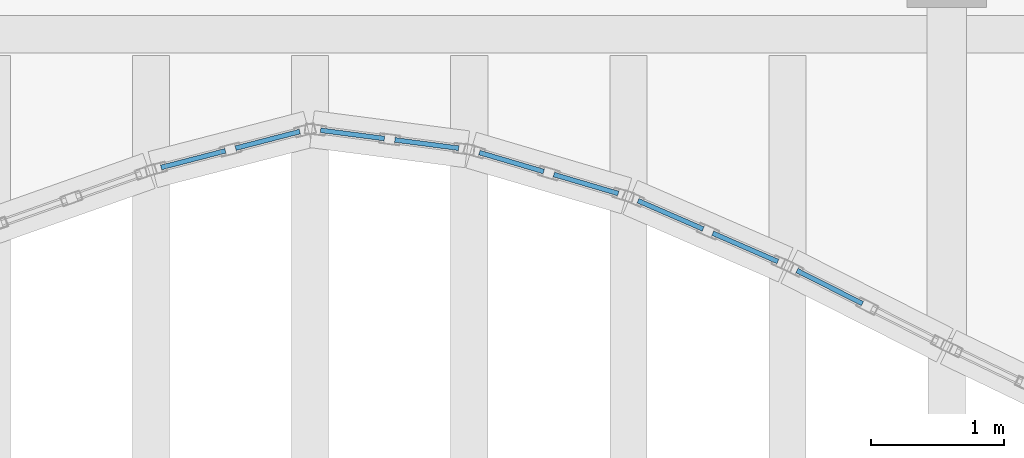
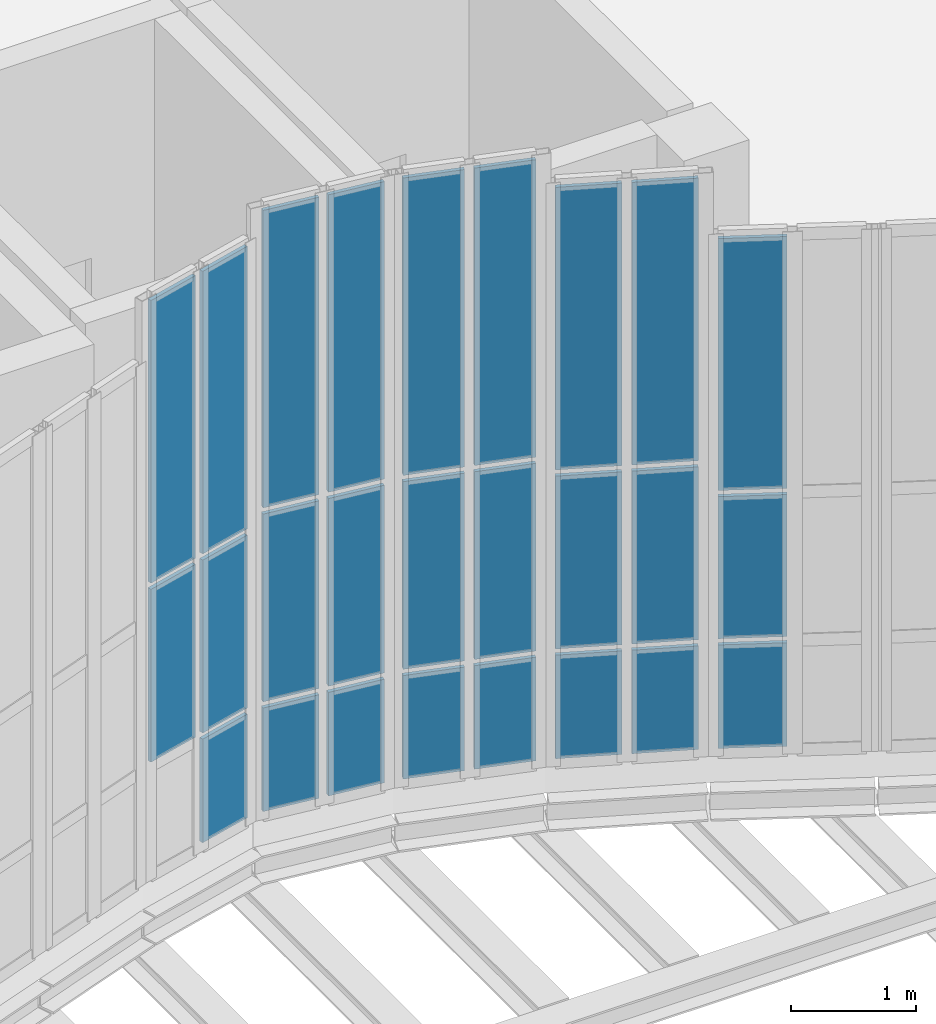
# One storey, part 52 of 76: 26 plates, 5 elements without a shape of their own.
"""IFC4 building model written with IfcOpenShell, lengths in metres."""

from ifc_helpers import new_model, si_unit, direction, frame, origin, origin_2d, place, context, subcontext, project, spatial, rectangle, extrude, material, layer, layer_set, type_object, element, aggregate, save


model = new_model("IFC4")

# Units and contexts
model_context = context("Model", 3, precision=1e-05, world=origin(), true_north=direction((0.0, 1.0)))
body_context = subcontext(model_context, "Body", "Model", "MODEL_VIEW")
ifc_project = project(units=[si_unit("LENGTHUNIT", "METRE"), si_unit("AREAUNIT", "SQUARE_METRE"), si_unit("VOLUMEUNIT", "CUBIC_METRE"), si_unit("PLANEANGLEUNIT", "RADIAN"), si_unit("MASSUNIT", "GRAM", prefix="KILO"), si_unit("THERMODYNAMICTEMPERATUREUNIT", "KELVIN"), si_unit("POWERUNIT", "WATT")], contexts=[model_context])

# Site, building, storey
site_placement = place(None, origin())
site = spatial("IfcSite", under=ifc_project, at=site_placement, CompositionType="ELEMENT")
building_placement = place(site_placement, origin())
building = spatial("IfcBuilding", under=site, at=building_placement, Name="Kaldorven Railside Theatre", CompositionType="ELEMENT")
storey_placement = place(building_placement, frame((0.0, 0.0, 14.39990234375)))
storey = spatial("IfcBuildingStorey", under=building, at=storey_placement, Name="L03", CompositionType="ELEMENT", Elevation=14.39990234375)

# Curtain wall, plates
ifc_material = material(Name="Low-E laminated solar-control glass", Category="glass")
ifc_layer_1 = layer(ifc_material, 0.159912109375, Name="Low-E laminated solar-control glass")
ifc_layer_set_1 = layer_set([ifc_layer_1], Name="Low-E laminated solar-control glass")
curtain_wall_type_1 = type_object("IfcCurtainWallType", Name="CWT-09", PredefinedType="USERDEFINED", material=ifc_layer_set_1)
curtain_wall_1_placement = place(storey_placement, origin())
curtain_wall_1 = element("IfcCurtainWall", 1, at=curtain_wall_1_placement, inside=storey, type_object=curtain_wall_type_1, Name="Sinusoidal Fluted Curtain Wall CW-L03-S26", ObjectType="FLUTED GLAZING", PredefinedType="USERDEFINED")
ifc_layer_2 = layer(ifc_material, 0.035888671875, Name="Low-E laminated solar-control glass")
ifc_layer_set_2 = layer_set([ifc_layer_2], Name="Low-E laminated solar-control glass")
plate_type = type_object("IfcPlateType", Name="CWP-CREST36", PredefinedType="CURTAIN_PANEL", material=ifc_layer_set_2)
plate_1_placement = place(storey_placement, frame((67.119384765625, 17.7578125, 1.130126953125), z_axis=(0.0, 0.0, 1.0), x_axis=(0.967999075505, 0.250953760326, 0.0)))
plate_1 = element("IfcPlate", 2, at=plate_1_placement, type_object=plate_type, Name="CW-L03-S26 panel 1.2", PredefinedType="CURTAIN_PANEL", context=body_context, shape_type="SweptSolid", body=[
    extrude(rectangle(XDim=0.499755859375, YDim=0.035888671875, at=origin_2d()), origin(), (0.0, 0.0, 1.0), 1.68505859375),
])
plate_2_placement = place(storey_placement, frame((67.119384765625, 17.7578125, 2.875244140625), z_axis=(0.0, 0.0, 1.0), x_axis=(0.967999075505, 0.250953760326, 0.0)))
plate_2 = element("IfcPlate", 3, at=plate_2_placement, type_object=plate_type, Name="CW-L03-S26 panel 1.3", PredefinedType="CURTAIN_PANEL", context=body_context, shape_type="SweptSolid", body=[
    extrude(rectangle(XDim=0.499755859375, YDim=0.035888671875, at=origin_2d()), origin(), (0.0, 0.0, 1.0), 2.7548828125),
])
plate_3_placement = place(storey_placement, frame((67.6806640625, 17.9033203125, 0.06005859375), z_axis=(0.0, 0.0, 1.0), x_axis=(0.967999075505, 0.250953760326, 0.0)))
plate_3 = element("IfcPlate", 4, at=plate_3_placement, type_object=plate_type, Name="CW-L03-S26 panel 2.1", PredefinedType="CURTAIN_PANEL", context=body_context, shape_type="SweptSolid", body=[
    extrude(rectangle(XDim=0.499755859375, YDim=0.035888671875, at=origin_2d()), origin(), (0.0, 0.0, 1.0), 1.010009765625),
])
plate_4_placement = place(storey_placement, frame((67.6806640625, 17.9033203125, 1.130126953125), z_axis=(0.0, 0.0, 1.0), x_axis=(0.967999075505, 0.250953760326, 0.0)))
plate_4 = element("IfcPlate", 5, at=plate_4_placement, type_object=plate_type, Name="CW-L03-S26 panel 2.2", PredefinedType="CURTAIN_PANEL", context=body_context, shape_type="SweptSolid", body=[
    extrude(rectangle(XDim=0.499755859375, YDim=0.035888671875, at=origin_2d()), origin(), (0.0, 0.0, 1.0), 1.68505859375),
])
plate_5_placement = place(storey_placement, frame((67.6806640625, 17.9033203125, 2.875244140625), z_axis=(0.0, 0.0, 1.0), x_axis=(0.967999075505, 0.250953760326, 0.0)))
plate_5 = element("IfcPlate", 6, at=plate_5_placement, type_object=plate_type, Name="CW-L03-S26 panel 2.3", PredefinedType="CURTAIN_PANEL", context=body_context, shape_type="SweptSolid", body=[
    extrude(rectangle(XDim=0.499755859375, YDim=0.035888671875, at=origin_2d()), origin(), (0.0, 0.0, 1.0), 2.7548828125),
])
aggregate(curtain_wall_1, [plate_1, plate_2, plate_3, plate_4, plate_5])

ifc_layer_3 = layer(ifc_material, 0.159912109375, Name="Low-E laminated solar-control glass")
ifc_layer_set_3 = layer_set([ifc_layer_3], Name="Low-E laminated solar-control glass")
curtain_wall_type_2 = type_object("IfcCurtainWallType", Name="CWT-10", PredefinedType="USERDEFINED", material=ifc_layer_set_3)
curtain_wall_2_placement = place(storey_placement, origin())
curtain_wall_2 = element("IfcCurtainWall", 7, at=curtain_wall_2_placement, inside=storey, type_object=curtain_wall_type_2, Name="Sinusoidal Fluted Curtain Wall CW-L03-S27", ObjectType="FLUTED GLAZING", PredefinedType="USERDEFINED")
plate_6_placement = place(storey_placement, frame((68.31982421875, 17.944580078125, 0.06005859375), z_axis=(0.0, 0.0, 1.0), x_axis=(0.991676733269, -0.12875269587, 0.0)))
plate_6 = element("IfcPlate", 8, at=plate_6_placement, type_object=plate_type, Name="CW-L03-S27 panel 1.1", PredefinedType="CURTAIN_PANEL", context=body_context, shape_type="SweptSolid", body=[
    extrude(rectangle(XDim=0.485107421875, YDim=0.035888671875, at=origin_2d()), origin(), (0.0, 0.0, 1.0), 1.010009765625),
])
plate_7_placement = place(storey_placement, frame((68.31982421875, 17.944580078125, 1.130126953125), z_axis=(0.0, 0.0, 1.0), x_axis=(0.991676733269, -0.12875269587, 0.0)))
plate_7 = element("IfcPlate", 9, at=plate_7_placement, type_object=plate_type, Name="CW-L03-S27 panel 1.2", PredefinedType="CURTAIN_PANEL", context=body_context, shape_type="SweptSolid", body=[
    extrude(rectangle(XDim=0.485107421875, YDim=0.035888671875, at=origin_2d()), origin(), (0.0, 0.0, 1.0), 1.830078125),
])
plate_8_placement = place(storey_placement, frame((68.31982421875, 17.944580078125, 3.020263671875), z_axis=(0.0, 0.0, 1.0), x_axis=(0.991676733269, -0.12875269587, 0.0)))
plate_8 = element("IfcPlate", 10, at=plate_8_placement, type_object=plate_type, Name="CW-L03-S27 panel 1.3", PredefinedType="CURTAIN_PANEL", context=body_context, shape_type="SweptSolid", body=[
    extrude(rectangle(XDim=0.485107421875, YDim=0.035888671875, at=origin_2d()), origin(), (0.0, 0.0, 1.0), 2.89990234375),
])
plate_9_placement = place(storey_placement, frame((68.880126953125, 17.871826171875, 0.06005859375), z_axis=(0.0, 0.0, 1.0), x_axis=(0.991676733269, -0.12875269587, 0.0)))
plate_9 = element("IfcPlate", 11, at=plate_9_placement, type_object=plate_type, Name="CW-L03-S27 panel 2.1", PredefinedType="CURTAIN_PANEL", context=body_context, shape_type="SweptSolid", body=[
    extrude(rectangle(XDim=0.485107421875, YDim=0.035888671875, at=origin_2d()), origin(), (0.0, 0.0, 1.0), 1.010009765625),
])
plate_10_placement = place(storey_placement, frame((68.880126953125, 17.871826171875, 1.130126953125), z_axis=(0.0, 0.0, 1.0), x_axis=(0.991676733269, -0.12875269587, 0.0)))
plate_10 = element("IfcPlate", 12, at=plate_10_placement, type_object=plate_type, Name="CW-L03-S27 panel 2.2", PredefinedType="CURTAIN_PANEL", context=body_context, shape_type="SweptSolid", body=[
    extrude(rectangle(XDim=0.485107421875, YDim=0.035888671875, at=origin_2d()), origin(), (0.0, 0.0, 1.0), 1.830078125),
])
plate_11_placement = place(storey_placement, frame((68.880126953125, 17.871826171875, 3.020263671875), z_axis=(0.0, 0.0, 1.0), x_axis=(0.991676733269, -0.12875269587, 0.0)))
plate_11 = element("IfcPlate", 13, at=plate_11_placement, type_object=plate_type, Name="CW-L03-S27 panel 2.3", PredefinedType="CURTAIN_PANEL", context=body_context, shape_type="SweptSolid", body=[
    extrude(rectangle(XDim=0.485107421875, YDim=0.035888671875, at=origin_2d()), origin(), (0.0, 0.0, 1.0), 2.89990234375),
])
aggregate(curtain_wall_2, [plate_6, plate_7, plate_8, plate_9, plate_10, plate_11])

ifc_layer_4 = layer(ifc_material, 0.159912109375, Name="Low-E laminated solar-control glass")
ifc_layer_set_4 = layer_set([ifc_layer_4], Name="Low-E laminated solar-control glass")
curtain_wall_type_3 = type_object("IfcCurtainWallType", Name="CWT-11", PredefinedType="USERDEFINED", material=ifc_layer_set_4)
curtain_wall_3_placement = place(storey_placement, origin())
curtain_wall_3 = element("IfcCurtainWall", 14, at=curtain_wall_3_placement, inside=storey, type_object=curtain_wall_type_3, Name="Sinusoidal Fluted Curtain Wall CW-L03-S28", ObjectType="FLUTED GLAZING", PredefinedType="USERDEFINED")
plate_12_placement = place(storey_placement, frame((69.519287109375, 17.736083984375, 0.06005859375), z_axis=(0.0, 0.0, 1.0), x_axis=(0.959157781116, -0.282871615621, 0.0)))
plate_12 = element("IfcPlate", 15, at=plate_12_placement, type_object=plate_type, Name="CW-L03-S28 panel 1.1", PredefinedType="CURTAIN_PANEL", context=body_context, shape_type="SweptSolid", body=[
    extrude(rectangle(XDim=0.505615234375, YDim=0.035888671875, at=origin_2d()), origin(), (0.0, 0.0, 1.0), 1.010009765625),
])
plate_13_placement = place(storey_placement, frame((69.519287109375, 17.736083984375, 1.130126953125), z_axis=(0.0, 0.0, 1.0), x_axis=(0.959157781116, -0.282871615621, 0.0)))
plate_13 = element("IfcPlate", 16, at=plate_13_placement, type_object=plate_type, Name="CW-L03-S28 panel 1.2", PredefinedType="CURTAIN_PANEL", context=body_context, shape_type="SweptSolid", body=[
    extrude(rectangle(XDim=0.505615234375, YDim=0.035888671875, at=origin_2d()), origin(), (0.0, 0.0, 1.0), 1.830078125),
])
plate_14_placement = place(storey_placement, frame((69.519287109375, 17.736083984375, 3.020263671875), z_axis=(0.0, 0.0, 1.0), x_axis=(0.959157781116, -0.282871615621, 0.0)))
plate_14 = element("IfcPlate", 17, at=plate_14_placement, type_object=plate_type, Name="CW-L03-S28 panel 1.3", PredefinedType="CURTAIN_PANEL", context=body_context, shape_type="SweptSolid", body=[
    extrude(rectangle(XDim=0.505615234375, YDim=0.035888671875, at=origin_2d()), origin(), (0.0, 0.0, 1.0), 2.89990234375),
])
plate_15_placement = place(storey_placement, frame((70.080810546875, 17.570556640625, 0.06005859375), z_axis=(0.0, 0.0, 1.0), x_axis=(0.959157781116, -0.282871615621, 0.0)))
plate_15 = element("IfcPlate", 18, at=plate_15_placement, type_object=plate_type, Name="CW-L03-S28 panel 2.1", PredefinedType="CURTAIN_PANEL", context=body_context, shape_type="SweptSolid", body=[
    extrude(rectangle(XDim=0.505615234375, YDim=0.035888671875, at=origin_2d()), origin(), (0.0, 0.0, 1.0), 1.010009765625),
])
plate_16_placement = place(storey_placement, frame((70.080810546875, 17.570556640625, 1.130126953125), z_axis=(0.0, 0.0, 1.0), x_axis=(0.959157781116, -0.282871615621, 0.0)))
plate_16 = element("IfcPlate", 19, at=plate_16_placement, type_object=plate_type, Name="CW-L03-S28 panel 2.2", PredefinedType="CURTAIN_PANEL", context=body_context, shape_type="SweptSolid", body=[
    extrude(rectangle(XDim=0.505615234375, YDim=0.035888671875, at=origin_2d()), origin(), (0.0, 0.0, 1.0), 1.830078125),
])
plate_17_placement = place(storey_placement, frame((70.080810546875, 17.570556640625, 3.020263671875), z_axis=(0.0, 0.0, 1.0), x_axis=(0.959157781116, -0.282871615621, 0.0)))
plate_17 = element("IfcPlate", 20, at=plate_17_placement, type_object=plate_type, Name="CW-L03-S28 panel 2.3", PredefinedType="CURTAIN_PANEL", context=body_context, shape_type="SweptSolid", body=[
    extrude(rectangle(XDim=0.505615234375, YDim=0.035888671875, at=origin_2d()), origin(), (0.0, 0.0, 1.0), 2.89990234375),
])
aggregate(curtain_wall_3, [plate_12, plate_13, plate_14, plate_15, plate_16, plate_17])

ifc_layer_5 = layer(ifc_material, 0.159912109375, Name="Low-E laminated solar-control glass")
ifc_layer_set_5 = layer_set([ifc_layer_5], Name="Low-E laminated solar-control glass")
curtain_wall_type_4 = type_object("IfcCurtainWallType", Name="CWT-12", PredefinedType="USERDEFINED", material=ifc_layer_set_5)
curtain_wall_4_placement = place(storey_placement, origin())
curtain_wall_4 = element("IfcCurtainWall", 21, at=curtain_wall_4_placement, inside=storey, type_object=curtain_wall_type_4, Name="Sinusoidal Fluted Curtain Wall CW-L03-S29", ObjectType="FLUTED GLAZING", PredefinedType="USERDEFINED")
plate_18_placement = place(storey_placement, frame((70.71826171875, 17.337890625, 0.06005859375), z_axis=(0.0, 0.0, 1.0), x_axis=(0.916997147675, -0.398893759235, 0.0)))
plate_18 = element("IfcPlate", 22, at=plate_18_placement, type_object=plate_type, Name="CW-L03-S29 panel 1.1", PredefinedType="CURTAIN_PANEL", context=body_context, shape_type="SweptSolid", body=[
    extrude(rectangle(XDim=0.534423828125, YDim=0.035888671875, at=origin_2d()), origin(), (0.0, 0.0, 1.0), 1.010009765625),
])
plate_19_placement = place(storey_placement, frame((70.71826171875, 17.337890625, 1.130126953125), z_axis=(0.0, 0.0, 1.0), x_axis=(0.916997147675, -0.398893759235, 0.0)))
plate_19 = element("IfcPlate", 23, at=plate_19_placement, type_object=plate_type, Name="CW-L03-S29 panel 1.2", PredefinedType="CURTAIN_PANEL", context=body_context, shape_type="SweptSolid", body=[
    extrude(rectangle(XDim=0.534423828125, YDim=0.035888671875, at=origin_2d()), origin(), (0.0, 0.0, 1.0), 1.68505859375),
])
plate_20_placement = place(storey_placement, frame((70.71826171875, 17.337890625, 2.875244140625), z_axis=(0.0, 0.0, 1.0), x_axis=(0.916997147675, -0.398893759235, 0.0)))
plate_20 = element("IfcPlate", 24, at=plate_20_placement, type_object=plate_type, Name="CW-L03-S29 panel 1.3", PredefinedType="CURTAIN_PANEL", context=body_context, shape_type="SweptSolid", body=[
    extrude(rectangle(XDim=0.534423828125, YDim=0.035888671875, at=origin_2d()), origin(), (0.0, 0.0, 1.0), 2.7548828125),
])
plate_21_placement = place(storey_placement, frame((71.28173828125, 17.0927734375, 0.06005859375), z_axis=(0.0, 0.0, 1.0), x_axis=(0.916997147675, -0.398893759235, 0.0)))
plate_21 = element("IfcPlate", 25, at=plate_21_placement, type_object=plate_type, Name="CW-L03-S29 panel 2.1", PredefinedType="CURTAIN_PANEL", context=body_context, shape_type="SweptSolid", body=[
    extrude(rectangle(XDim=0.534423828125, YDim=0.035888671875, at=origin_2d()), origin(), (0.0, 0.0, 1.0), 1.010009765625),
])
plate_22_placement = place(storey_placement, frame((71.28173828125, 17.0927734375, 1.130126953125), z_axis=(0.0, 0.0, 1.0), x_axis=(0.916997147675, -0.398893759235, 0.0)))
plate_22 = element("IfcPlate", 26, at=plate_22_placement, type_object=plate_type, Name="CW-L03-S29 panel 2.2", PredefinedType="CURTAIN_PANEL", context=body_context, shape_type="SweptSolid", body=[
    extrude(rectangle(XDim=0.534423828125, YDim=0.035888671875, at=origin_2d()), origin(), (0.0, 0.0, 1.0), 1.68505859375),
])
plate_23_placement = place(storey_placement, frame((71.28173828125, 17.0927734375, 2.875244140625), z_axis=(0.0, 0.0, 1.0), x_axis=(0.916997147675, -0.398893759235, 0.0)))
plate_23 = element("IfcPlate", 27, at=plate_23_placement, type_object=plate_type, Name="CW-L03-S29 panel 2.3", PredefinedType="CURTAIN_PANEL", context=body_context, shape_type="SweptSolid", body=[
    extrude(rectangle(XDim=0.534423828125, YDim=0.035888671875, at=origin_2d()), origin(), (0.0, 0.0, 1.0), 2.7548828125),
])
aggregate(curtain_wall_4, [plate_18, plate_19, plate_20, plate_21, plate_22, plate_23])

ifc_layer_6 = layer(ifc_material, 0.159912109375, Name="Low-E laminated solar-control glass")
ifc_layer_set_6 = layer_set([ifc_layer_6], Name="Low-E laminated solar-control glass")
curtain_wall_type_5 = type_object("IfcCurtainWallType", Name="CWT-13", PredefinedType="USERDEFINED", material=ifc_layer_set_6)
curtain_wall_5_placement = place(storey_placement, origin())
curtain_wall_5 = element("IfcCurtainWall", 28, at=curtain_wall_5_placement, inside=storey, type_object=curtain_wall_type_5, Name="Sinusoidal Fluted Curtain Wall CW-L03-S30", ObjectType="FLUTED GLAZING", PredefinedType="USERDEFINED")
plate_24_placement = place(storey_placement, frame((71.917724609375, 16.793701171875, 0.06005859375), z_axis=(0.0, 0.0, 1.0), x_axis=(0.89230542934, -0.451432188451, 0.0)))
plate_24 = element("IfcPlate", 29, at=plate_24_placement, type_object=plate_type, Name="CW-L03-S30 panel 1.1", PredefinedType="CURTAIN_PANEL", context=body_context, shape_type="SweptSolid", body=[
    extrude(rectangle(XDim=0.552490234375, YDim=0.035888671875, at=origin_2d()), origin(), (0.0, 0.0, 1.0), 1.010009765625),
])
plate_25_placement = place(storey_placement, frame((71.917724609375, 16.793701171875, 1.1298828125), z_axis=(0.0, 0.0, 1.0), x_axis=(0.89230542934, -0.451432188451, 0.0)))
plate_25 = element("IfcPlate", 30, at=plate_25_placement, type_object=plate_type, Name="CW-L03-S30 panel 1.2", PredefinedType="CURTAIN_PANEL", context=body_context, shape_type="SweptSolid", body=[
    extrude(rectangle(XDim=0.552490234375, YDim=0.035888671875, at=origin_2d()), origin(), (0.0, 0.0, 1.0), 1.385009765625),
])
plate_26_placement = place(storey_placement, frame((71.917724609375, 16.793701171875, 2.574951171875), z_axis=(0.0, 0.0, 1.0), x_axis=(0.89230542934, -0.451432188451, 0.0)))
plate_26 = element("IfcPlate", 31, at=plate_26_placement, type_object=plate_type, Name="CW-L03-S30 panel 1.3", PredefinedType="CURTAIN_PANEL", context=body_context, shape_type="SweptSolid", body=[
    extrude(rectangle(XDim=0.552490234375, YDim=0.035888671875, at=origin_2d()), origin(), (0.0, 0.0, 1.0), 2.455078125),
])
aggregate(curtain_wall_5, [plate_24, plate_25, plate_26])

save(model, "model.ifc")
